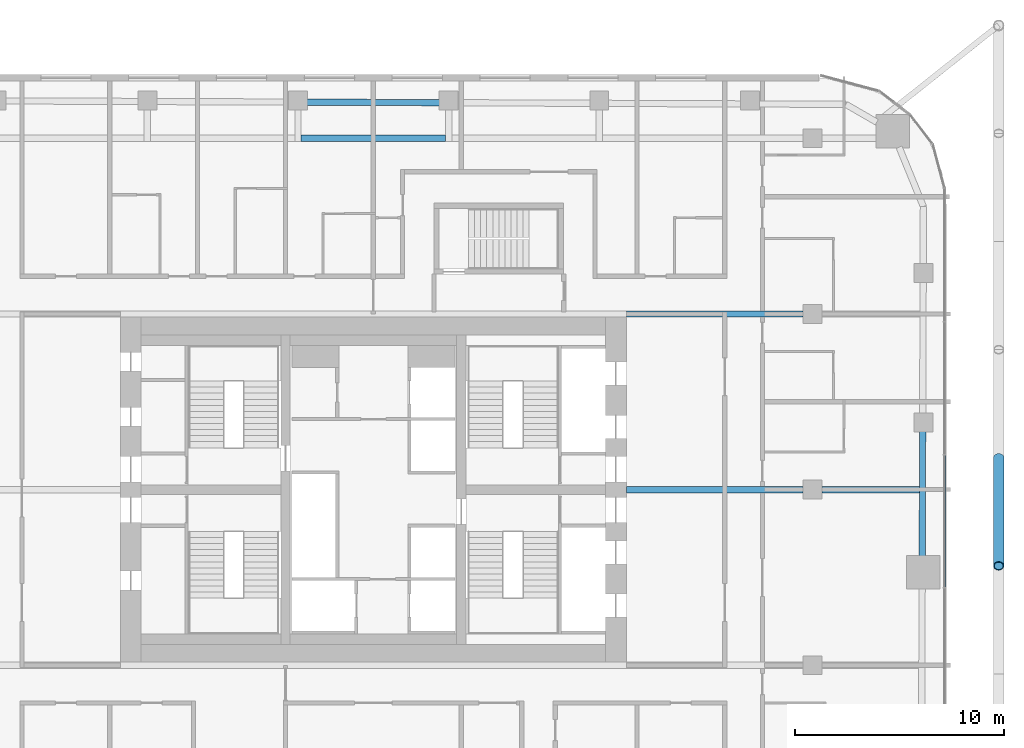
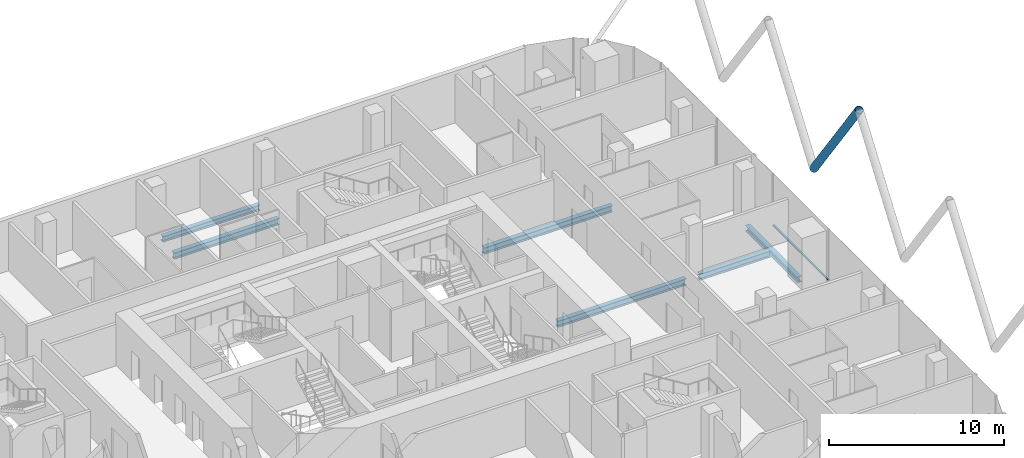
# One storey, part 12 of 33: 6 beams, 2 members, 1 element without a shape of its own.
"""IFC4 building model written with IfcOpenShell, lengths in metres."""

import ifcopenshell
import ifcopenshell.guid

model = None  # the IFC model being written
_history = None  # IfcOwnerHistory: only IFC2X3 demands one
_inside = {}  # id of a spatial element -> (the spatial element, [elements in it])
_under = {}  # id of a project, library or spatial element -> (it, [spatial elements below it])
_declared = {}  # id of a project -> (the project, [libraries it declares])
_typed = {}  # id of a type object -> (the type object, [elements of that type])
_made_of = {}  # id of a material, layer set ... -> (it, [elements and type objects made of it])


def new_model(schema):
    """Start an empty IFC model of exactly this schema.

    Asked for "IFC4X3", IfcOpenShell would pick the latest addendum, in which some entities
    have other attributes; the version numbers below select the first issue.
    IFC2X3 requires an IfcOwnerHistory on every rooted entity: one is made here for all.
    """
    global model, _history
    if schema == "IFC4X3":
        model = ifcopenshell.file(schema_version=(4, 3, 0, 0))
    else:
        model = ifcopenshell.file(schema=schema)
    _inside.clear()
    _under.clear()
    _declared.clear()
    _typed.clear()
    _made_of.clear()
    _history = None
    if model.schema == "IFC2X3":
        org = make("IfcOrganization", Name="unknown")
        user = make(
            "IfcPersonAndOrganization",
            ThePerson=make("IfcPerson", FamilyName="unknown"),
            TheOrganization=org,
        )
        app = make(
            "IfcApplication",
            ApplicationDeveloper=org,
            Version="unknown",
            ApplicationFullName="unknown",
            ApplicationIdentifier="unknown",
        )
        _history = make(
            "IfcOwnerHistory",
            OwningUser=user,
            OwningApplication=app,
            ChangeAction="ADDED",
            CreationDate=0,
        )
    return model


def make(cls, **values):
    """One entity of the class cls with the attributes given. An attribute that is None is left unset."""
    return model.create_entity(
        cls, **{name: value for name, value in values.items() if value is not None}
    )


def rooted(cls, **values):
    """An entity with a GlobalId (a new one), such as an element, a storey or a relation."""
    return make(cls, GlobalId=ifcopenshell.guid.new(), OwnerHistory=_history, **values)


def si_unit(unit_type, name, prefix=None):
    """IfcSIUnit, for example si_unit("LENGTHUNIT", "METRE", prefix="MILLI")."""
    return make("IfcSIUnit", UnitType=unit_type, Prefix=prefix, Name=name)


def assignment(units):
    """IfcUnitAssignment: the units of a project."""
    return None if units is None else make("IfcUnitAssignment", Units=units)


def point(xyz):
    """IfcCartesianPoint."""
    return None if xyz is None else make("IfcCartesianPoint", Coordinates=xyz)


def direction(xyz):
    """IfcDirection."""
    return None if xyz is None else make("IfcDirection", DirectionRatios=xyz)


def frame(location, z_axis=None, x_axis=None):
    """IfcAxis2Placement3D, a coordinate frame: its origin and axes. An axis left out is left unset."""
    return make(
        "IfcAxis2Placement3D",
        Location=point(location),
        Axis=direction(z_axis),
        RefDirection=direction(x_axis),
    )


def frame_2d(location, x_axis=None):
    """IfcAxis2Placement2D, a coordinate frame in the plane: its origin and x axis."""
    return make(
        "IfcAxis2Placement2D", Location=point(location), RefDirection=direction(x_axis)
    )


def origin():
    """The frame at (0, 0, 0) with its axes left unset."""
    return frame((0.0, 0.0, 0.0))


def origin_2d():
    """The frame at (0, 0) in the plane with its x axis left unset."""
    return frame_2d((0.0, 0.0))


def place(relative_to, where):
    """IfcLocalPlacement: puts the frame where relative to a parent placement (None: the world)."""
    return make(
        "IfcLocalPlacement", PlacementRelTo=relative_to, RelativePlacement=where
    )


def context(
    kind, dimensions, precision=None, world=None, true_north=None, identifier=None
):
    """IfcGeometricRepresentationContext, for example the 3D "Model" context."""
    return make(
        "IfcGeometricRepresentationContext",
        ContextIdentifier=identifier,
        ContextType=kind,
        CoordinateSpaceDimension=dimensions,
        Precision=precision,
        WorldCoordinateSystem=world,
        TrueNorth=true_north,
    )


def subcontext(parent, identifier, kind, view, scale=None):
    """IfcGeometricRepresentationSubContext, for example "Body" below "Model"."""
    return make(
        "IfcGeometricRepresentationSubContext",
        ContextIdentifier=identifier,
        ContextType=kind,
        ParentContext=parent,
        TargetScale=scale,
        TargetView=view,
    )


def project(units=None, contexts=None):
    """IfcProject with its units and contexts."""
    return rooted(
        "IfcProject",
        Name="project",
        RepresentationContexts=contexts,
        UnitsInContext=assignment(units),
    )


def spatial(cls, under=None, at=None, **own):
    """A site, building, storey or space (cls), placed at a placement, below another one or the project."""
    s = rooted(cls, ObjectPlacement=at, **own)
    if under is not None:
        _under.setdefault(under.id(), (under, []))[1].append(s)
    return s


def profile(cls, at=None, kind="AREA", **sizes):
    """A parametric profile (cls). Its sizes go by their IFC names, for example OverallWidth=200.0."""
    return make(cls, ProfileType=kind, Position=at, **sizes)


def rectangle(**sizes):
    """IfcRectangleProfileDef."""
    return profile("IfcRectangleProfileDef", **sizes)


def hollow_circle(**sizes):
    """IfcCircleHollowProfileDef."""
    return profile("IfcCircleHollowProfileDef", **sizes)


def i_section(**sizes):
    """IfcIShapeProfileDef."""
    return profile("IfcIShapeProfileDef", **sizes)


def extrude(swept, where, along, depth):
    """IfcExtrudedAreaSolid: the profile swept, set in the frame where, extruded along a direction by depth."""
    return make(
        "IfcExtrudedAreaSolid",
        SweptArea=swept,
        Position=where,
        ExtrudedDirection=direction(along),
        Depth=depth,
    )


def shape(context_of_items, identifier, shape_type, items):
    """IfcShapeRepresentation: the items that make up one representation, for example the "Body"."""
    return make(
        "IfcShapeRepresentation",
        ContextOfItems=context_of_items,
        RepresentationIdentifier=identifier,
        RepresentationType=shape_type,
        Items=items,
    )


def material(Name=None, Category=None):
    """IfcMaterial."""
    return make("IfcMaterial", Name=Name, Category=Category)


def layer(
    of_material, thickness, ventilated=None, Name=None, Category=None, Priority=None
):
    """IfcMaterialLayer: one layer of a wall or slab, of a material (None: an air gap)."""
    return make(
        "IfcMaterialLayer",
        Material=of_material,
        LayerThickness=thickness,
        IsVentilated=ventilated,
        Name=Name,
        Category=Category,
        Priority=Priority,
    )


def layer_set(layers, Name=None):
    """IfcMaterialLayerSet."""
    return make("IfcMaterialLayerSet", MaterialLayers=layers, LayerSetName=Name)


def material_profile(
    of_material, cross_section, Name=None, Category=None, Priority=None
):
    """IfcMaterialProfile: a cross section and its material."""
    return make(
        "IfcMaterialProfile",
        Name=Name,
        Material=of_material,
        Profile=cross_section,
        Priority=Priority,
        Category=Category,
    )


def profile_set(profiles, Name=None, composite=None):
    """IfcMaterialProfileSet."""
    return make(
        "IfcMaterialProfileSet",
        Name=Name,
        MaterialProfiles=profiles,
        CompositeProfile=composite,
    )


def made_of(thing, what):
    """Note that an element or type object is made of a material, layer set ...; save() writes the relation."""
    if what is not None:
        _made_of.setdefault(what.id(), (what, []))[1].append(thing)
    return thing


def type_object(cls, material=None, **own):
    """A type object (cls), such as IfcWallType, which elements share."""
    return made_of(rooted(cls, **own), material)


def element(
    cls,
    number,
    at=None,
    inside=None,
    cuts=None,
    type_object=None,
    material=None,
    context=None,
    identifier="Body",
    shape_type=None,
    held_by="IfcProductDefinitionShape",
    body=None,
    shapes=None,
    **own,
):
    """One element of the class cls, such as IfcWall. Its Tag is "e" and its number.

    at: its placement. inside: the storey or other place that contains it. cuts: it is an
    opening in that element (IfcRelVoidsElement). A single representation is given by context,
    identifier, shape_type and body (its items); several are given by shapes. held_by: the class
    of the entity that holds the representations. save() writes the other relations.
    """
    e = rooted(cls, Tag="e%d" % number, ObjectPlacement=at, **own)
    if body is not None:
        shapes = [shape(context, identifier, shape_type, body)]
    if shapes is not None:
        e.Representation = make(held_by, Representations=shapes)
    if inside is not None:
        _inside.setdefault(inside.id(), (inside, []))[1].append(e)
    if cuts is not None:
        rooted(
            "IfcRelVoidsElement", RelatingBuildingElement=cuts, RelatedOpeningElement=e
        )
    if type_object is not None:
        _typed.setdefault(type_object.id(), (type_object, []))[1].append(e)
    return made_of(e, material)


def aggregate(whole, parts):
    """IfcRelAggregates: a whole, such as a stair, and the parts it consists of."""
    return rooted("IfcRelAggregates", RelatingObject=whole, RelatedObjects=parts)


def save(model, path):
    """Write the relations noted so far, then the file.

    IfcRelAggregates (storeys below a building ...), IfcRelContainedInSpatialStructure (elements
    in a storey), IfcRelDefinesByType, IfcRelAssociatesMaterial and IfcRelDeclares: one each for
    every whole, place, type object, material and project.
    """
    for whole, parts in _under.values():
        aggregate(whole, parts)
    for where, things in _inside.values():
        rooted(
            "IfcRelContainedInSpatialStructure",
            RelatedElements=things,
            RelatingStructure=where,
        )
    for kind, things in _typed.values():
        rooted("IfcRelDefinesByType", RelatedObjects=things, RelatingType=kind)
    for what, things in _made_of.values():
        rooted("IfcRelAssociatesMaterial", RelatedObjects=things, RelatingMaterial=what)
    for by, libraries in _declared.values():
        rooted("IfcRelDeclares", RelatingContext=by, RelatedDefinitions=libraries)
    model.write(path)


model = new_model("IFC4")

# Units and contexts
model_context = context("Model", 3, precision=1e-05, world=origin(), true_north=direction((0.0, 1.0)))
body_context = subcontext(model_context, "Body", "Model", "MODEL_VIEW")
ifc_project = project(units=[si_unit("LENGTHUNIT", "METRE"), si_unit("AREAUNIT", "SQUARE_METRE"), si_unit("VOLUMEUNIT", "CUBIC_METRE"), si_unit("PLANEANGLEUNIT", "RADIAN"), si_unit("MASSUNIT", "GRAM", prefix="KILO")], contexts=[model_context])

# Site, building, storey
site_placement = place(None, origin())
site = spatial("IfcSite", under=ifc_project, at=site_placement, CompositionType="ELEMENT")
building_placement = place(site_placement, origin())
building = spatial("IfcBuilding", under=site, at=building_placement, Name="Marenta Gate Hotel Tower", CompositionType="ELEMENT")
storey_placement = place(building_placement, frame((0.0, 0.0, 108.5)))
storey = spatial("IfcBuildingStorey", under=building, at=storey_placement, Name="L23", CompositionType="ELEMENT", Elevation=108.5)

# Member
ifc_material_1 = material(Name="Steel S355J2W", Category="steel")
ifc_material_profile_1 = material_profile(ifc_material_1, hollow_circle(Radius=0.25390625, WallThickness=0.0400390625, at=origin_2d()), Name="CHS 508x40")
ifc_profile_set_1 = profile_set([ifc_material_profile_1], Name="Steel S355J2W")
member_type_1 = type_object("IfcMemberType", Name="Diagrid diagonal Z2 CHS 508x40", PredefinedType="BRACE", material=ifc_profile_set_1)
member_1_placement = place(storey_placement, frame((29.89990234375, 9.919921875, 3.139892578125), z_axis=(0.0, -0.583247791947, 0.812294289767), x_axis=(1.0, 0.0, 0.0)))
element("IfcMember", 1, at=member_1_placement, inside=storey, type_object=member_type_1, Name="L23-DG-5", PredefinedType="BRACE", context=body_context, shape_type="SweptSolid", body=[
    extrude(hollow_circle(Radius=0.25390625, WallThickness=0.0400390625, at=origin_2d()), origin(), (0.0, 0.0, 1.0), 8.864013671875),
])

# Beams
ifc_material_2 = material(Name="Steel S355", Category="steel")
ifc_material_profile_2 = material_profile(ifc_material_2, i_section(OverallWidth=0.300048828125, OverallDepth=0.39990234375, WebThickness=0.013427734375, FlangeThickness=0.02392578125, FilletRadius=0.027099609375, at=origin_2d()), Name="HEB 400")
ifc_profile_set_2 = profile_set([ifc_material_profile_2], Name="Steel S355")
beam_type_1 = type_object("IfcBeamType", Name="Edge beam HEB 400", PredefinedType="SPANDREL", material=ifc_profile_set_2)
beam_1_placement = place(storey_placement, frame((-3.19140625, 26.926513671875, -0.4599609375), z_axis=(0.999991624938, -0.004092682982, 0.0), x_axis=(0.004092682982, 0.999991624938, 0.0)))
element("IfcBeam", 2, at=beam_1_placement, inside=storey, type_object=beam_type_1, Name="L23-EB-16", PredefinedType="SPANDREL", context=body_context, shape_type="SweptSolid", body=[
    extrude(i_section(OverallWidth=0.300048828125, OverallDepth=0.39990234375, WebThickness=0.013427734375, FlangeThickness=0.02392578125, FilletRadius=0.027099609375, at=origin_2d()), origin(), (0.0, 0.0, 1.0), 6.3828125),
])
beam_2_placement = place(storey_placement, frame((26.26416015625, 11.193115234375, -0.4599609375), z_axis=(-0.003305160059, -0.999994537944, 0.0), x_axis=(0.999994537944, -0.003305160059, 0.0)))
element("IfcBeam", 3, at=beam_2_placement, inside=storey, type_object=beam_type_1, Name="L23-EB-24", PredefinedType="SPANDREL", context=body_context, shape_type="SweptSolid", body=[
    extrude(i_section(OverallWidth=0.300048828125, OverallDepth=0.39990234375, WebThickness=0.013427734375, FlangeThickness=0.02392578125, FilletRadius=0.027099609375, at=origin_2d()), origin(), (0.0, 0.0, 1.0), 5.983154296875),
])
ifc_material_3 = material(Name="Steel S355", Category="steel")
ifc_material_profile_3 = material_profile(ifc_material_3, i_section(OverallWidth=0.300048828125, OverallDepth=0.449951171875, WebThickness=0.013916015625, FlangeThickness=0.02587890625, FilletRadius=0.027099609375, at=origin_2d()), Name="HEB 450")
ifc_profile_set_3 = profile_set([ifc_material_profile_3], Name="Steel S355")
beam_type_2 = type_object("IfcBeamType", Name="Girder HEB 450", PredefinedType="BEAM", material=ifc_profile_set_3)
beam_3_placement = place(storey_placement, frame((12.10009765625, 8.39990234375, -0.485107421875), z_axis=(1.0, 0.0, 0.0), x_axis=(0.0, 1.0, 0.0)))
element("IfcBeam", 4, at=beam_3_placement, inside=storey, type_object=beam_type_2, Name="L23-GD-22", PredefinedType="BEAM", context=body_context, shape_type="SweptSolid", body=[
    extrude(i_section(OverallWidth=0.300048828125, OverallDepth=0.449951171875, WebThickness=0.013916015625, FlangeThickness=0.02587890625, FilletRadius=0.027099609375, at=origin_2d()), origin(), (0.0, 0.0, 1.0), 8.449951171875),
])
beam_4_placement = place(storey_placement, frame((21.449951171875, 8.39990234375, -0.485107421875), z_axis=(1.0, 0.0, 0.0), x_axis=(0.0, 1.0, 0.0)))
element("IfcBeam", 5, at=beam_4_placement, inside=storey, type_object=beam_type_2, Name="L23-GD-23", PredefinedType="BEAM", context=body_context, shape_type="SweptSolid", body=[
    extrude(i_section(OverallWidth=0.300048828125, OverallDepth=0.449951171875, WebThickness=0.013916015625, FlangeThickness=0.02587890625, FilletRadius=0.027099609375, at=origin_2d()), origin(), (0.0, 0.0, 1.0), 4.655029296875),
])
beam_5_placement = place(storey_placement, frame((12.10009765625, 16.800048828125, -0.485107421875), z_axis=(1.0, 0.0, 0.0), x_axis=(0.0, 1.0, 0.0)))
element("IfcBeam", 6, at=beam_5_placement, inside=storey, type_object=beam_type_2, Name="L23-GD-27", PredefinedType="BEAM", context=body_context, shape_type="SweptSolid", body=[
    extrude(i_section(OverallWidth=0.300048828125, OverallDepth=0.449951171875, WebThickness=0.013916015625, FlangeThickness=0.02587890625, FilletRadius=0.027099609375, at=origin_2d()), origin(), (0.0, 0.0, 1.0), 8.449951171875),
])
beam_6_placement = place(storey_placement, frame((-3.451416015625, 25.199951171875, -0.485107421875), z_axis=(1.0, 0.0, 0.0), x_axis=(0.0, 1.0, 0.0)))
element("IfcBeam", 7, at=beam_6_placement, inside=storey, type_object=beam_type_2, Name="L23-GD-32", PredefinedType="BEAM", context=body_context, shape_type="SweptSolid", body=[
    extrude(i_section(OverallWidth=0.300048828125, OverallDepth=0.449951171875, WebThickness=0.013916015625, FlangeThickness=0.02587890625, FilletRadius=0.027099609375, at=origin_2d()), origin(), (0.0, 0.0, 1.0), 6.90283203125),
])

# Curtain wall, member
ifc_material_4 = material(Name="Tinted insulated glass in bronze anodised frame", Category="glass")
ifc_layer = layer(ifc_material_4, 0.1201171875)
ifc_layer_set = layer_set([ifc_layer], Name="Tinted insulated glass in bronze anodised frame")
curtain_wall_type = type_object("IfcCurtainWallType", Name="Tower unitised curtain wall CW1", PredefinedType="NOTDEFINED", material=ifc_layer_set)
curtain_wall_placement = place(storey_placement, origin())
curtain_wall = element("IfcCurtainWall", 8, at=curtain_wall_placement, inside=storey, type_object=curtain_wall_type, Name="CW1 run G19", PredefinedType="NOTDEFINED")
ifc_material_5 = material(Name="Bronze anodised aluminium", Category="aluminium")
ifc_material_profile_4 = material_profile(ifc_material_5, rectangle(XDim=0.1201171875, YDim=0.06005859375, at=origin_2d()), Name="Transom CW1 60x120 bronze anodised aluminium")
ifc_profile_set_4 = profile_set([ifc_material_profile_4], Name="Bronze anodised aluminium")
member_type_2 = type_object("IfcMemberType", Name="Transom CW1 60x120 bronze anodised aluminium", PredefinedType="USERDEFINED", material=ifc_profile_set_4)
member_2_placement = place(storey_placement, frame((27.31396484375, 3.741943359375, 0.030029296875), z_axis=(0.0, 1.0, 0.0), x_axis=(-1.0, 0.0, 0.0)))
member_2 = element("IfcMember", 9, at=member_2_placement, type_object=member_type_2, Name="CW1 transom 4.1", ObjectType="TRANSOM", PredefinedType="USERDEFINED", context=body_context, shape_type="SweptSolid", body=[
    extrude(rectangle(XDim=0.1201171875, YDim=0.06005859375, at=origin_2d()), origin(), (0.0, 0.0, 1.0), 6.300048828125),
])
aggregate(curtain_wall, [member_2])

save(model, "model.ifc")
